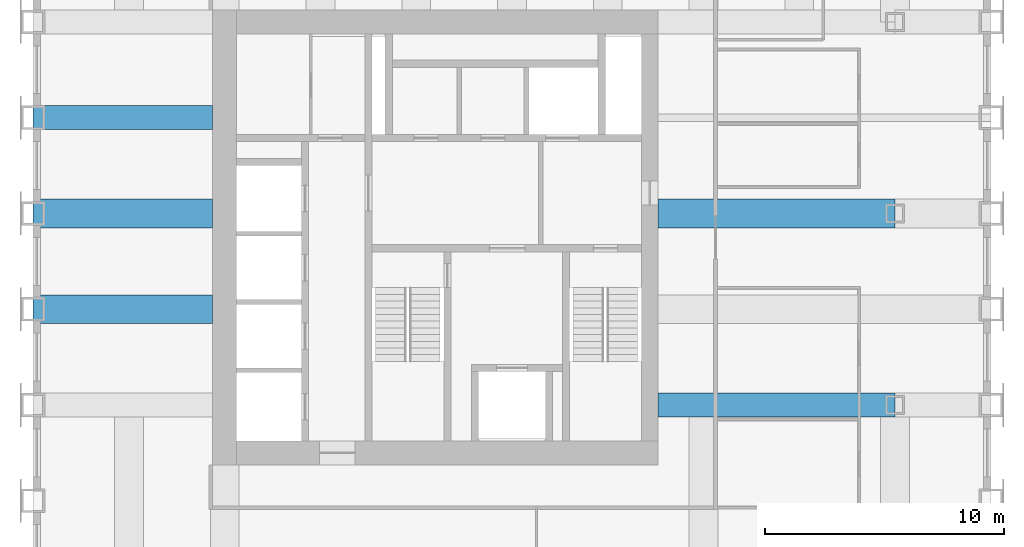
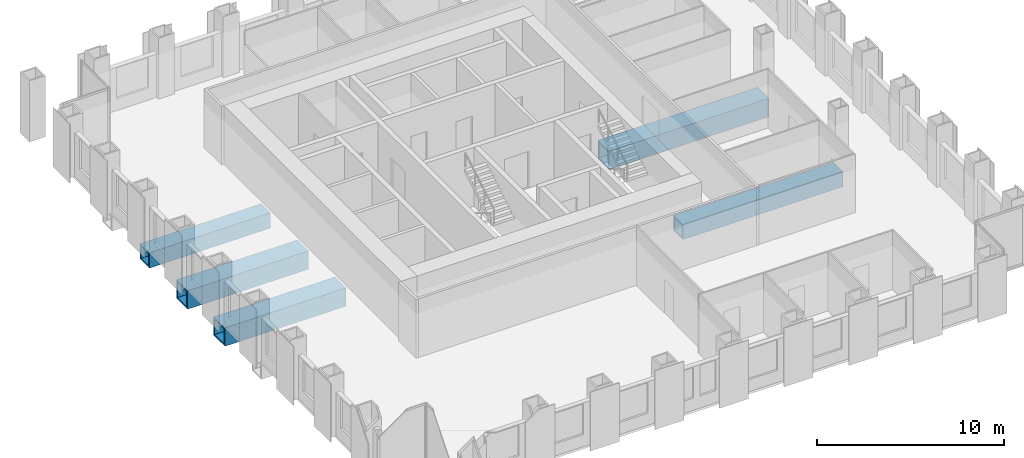
# One storey, part 3 of 11: 5 beams.
"""IFC4 building model written with IfcOpenShell, lengths in metres."""

from ifc_helpers import new_model, si_unit, direction, frame, origin, origin_2d, place, context, subcontext, project, spatial, hollow_rectangle, extrude, material, material_profile, profile_set, type_object, element, save


model = new_model("IFC4")

# Units and contexts
model_context = context("Model", 3, precision=1e-05, world=origin(), true_north=direction((0.0, 1.0)))
body_context = subcontext(model_context, "Body", "Model", "MODEL_VIEW")
ifc_project = project(units=[si_unit("LENGTHUNIT", "METRE"), si_unit("AREAUNIT", "SQUARE_METRE"), si_unit("VOLUMEUNIT", "CUBIC_METRE"), si_unit("PLANEANGLEUNIT", "RADIAN"), si_unit("MASSUNIT", "GRAM", prefix="KILO")], contexts=[model_context])

# Site, building, storey
site_placement = place(None, origin())
site = spatial("IfcSite", under=ifc_project, at=site_placement, CompositionType="ELEMENT")
building_placement = place(site_placement, origin())
building = spatial("IfcBuilding", under=site, at=building_placement, Name="Rimbunsela Tower", CompositionType="ELEMENT")
storey_placement = place(building_placement, frame((0.0, 0.0, 242.199951171875)))
storey = spatial("IfcBuildingStorey", under=building, at=storey_placement, Name="L58", CompositionType="ELEMENT", Elevation=242.199951171875)

# Beams
ifc_material_1 = material(Name="Steel BJ 55 (fy 410 MPa)", Category="steel")
ifc_material_profile_1 = material_profile(ifc_material_1, hollow_rectangle(XDim=1.0, YDim=1.0, WallThickness=0.10009765625, at=origin_2d()), Name="BOX 1000x1000x100")
ifc_profile_set_1 = profile_set([ifc_material_profile_1], Name="Steel BJ 55 (fy 410 MPa)")
beam_type_1 = type_object("IfcBeamType", Name="Beam BOX 1000x1000x100", PredefinedType="BEAM", material=ifc_profile_set_1)
beam_1_placement = place(storey_placement, frame((10.0, 32.0, -0.64990234375), z_axis=(1.0, 0.0, 0.0), x_axis=(0.0, 1.0, 0.0)))
element("IfcBeam", 1, at=beam_1_placement, inside=storey, type_object=beam_type_1, Name="Beam B3 L58", PredefinedType="BEAM", context=body_context, shape_type="SweptSolid", body=[
    extrude(hollow_rectangle(XDim=1.0, YDim=1.0, WallThickness=0.10009765625, at=origin_2d()), origin(), (0.0, 0.0, 1.0), 7.5),
])
beam_2_placement = place(storey_placement, frame((36.10009765625, 20.0, -0.64990234375), z_axis=(1.0, 0.0, 0.0), x_axis=(0.0, 1.0, 0.0)))
element("IfcBeam", 2, at=beam_2_placement, inside=storey, type_object=beam_type_1, Name="Beam B3 L58", PredefinedType="BEAM", context=body_context, shape_type="SweptSolid", body=[
    extrude(hollow_rectangle(XDim=1.0, YDim=1.0, WallThickness=0.10009765625, at=origin_2d()), origin(), (0.0, 0.0, 1.0), 9.89990234375),
])
ifc_material_2 = material(Name="Steel BJ 55 (fy 410 MPa)", Category="steel")
ifc_material_profile_2 = material_profile(ifc_material_2, hollow_rectangle(XDim=1.199951171875, YDim=1.199951171875, WallThickness=0.10009765625, at=origin_2d()), Name="BOX 1200x1200x100")
ifc_profile_set_2 = profile_set([ifc_material_profile_2], Name="Steel BJ 55 (fy 410 MPa)")
beam_type_2 = type_object("IfcBeamType", Name="Beam BOX 1200x1200x100", PredefinedType="BEAM", material=ifc_profile_set_2)
for number, where, z_axis, x_axis, name in (
    (3, (10.0, 24.0, -0.75), (1.0, 0.0, 0.0), (0.0, 1.0, 0.0), "Beam B5 L58"),
    (4, (10.0, 28.0, -0.75), (1.0, 0.0, 0.0), (0.0, 1.0, 0.0), "Beam B5 L58"),
):
    element("IfcBeam", number, at=place(storey_placement, frame(where, z_axis=z_axis, x_axis=x_axis)), inside=storey, type_object=beam_type_2, Name=name, PredefinedType="BEAM", context=body_context, shape_type="SweptSolid", body=[
        extrude(hollow_rectangle(XDim=1.199951171875, YDim=1.199951171875, WallThickness=0.10009765625, at=origin_2d()), origin(), (0.0, 0.0, 1.0), 7.5),
    ])
beam_3_placement = place(storey_placement, frame((36.10009765625, 28.0, -0.75), z_axis=(1.0, 0.0, 0.0), x_axis=(0.0, 1.0, 0.0)))
element("IfcBeam", 5, at=beam_3_placement, inside=storey, type_object=beam_type_2, Name="Beam B5 L58", PredefinedType="BEAM", context=body_context, shape_type="SweptSolid", body=[
    extrude(hollow_rectangle(XDim=1.199951171875, YDim=1.199951171875, WallThickness=0.10009765625, at=origin_2d()), origin(), (0.0, 0.0, 1.0), 9.89990234375),
])

save(model, "model.ifc")
